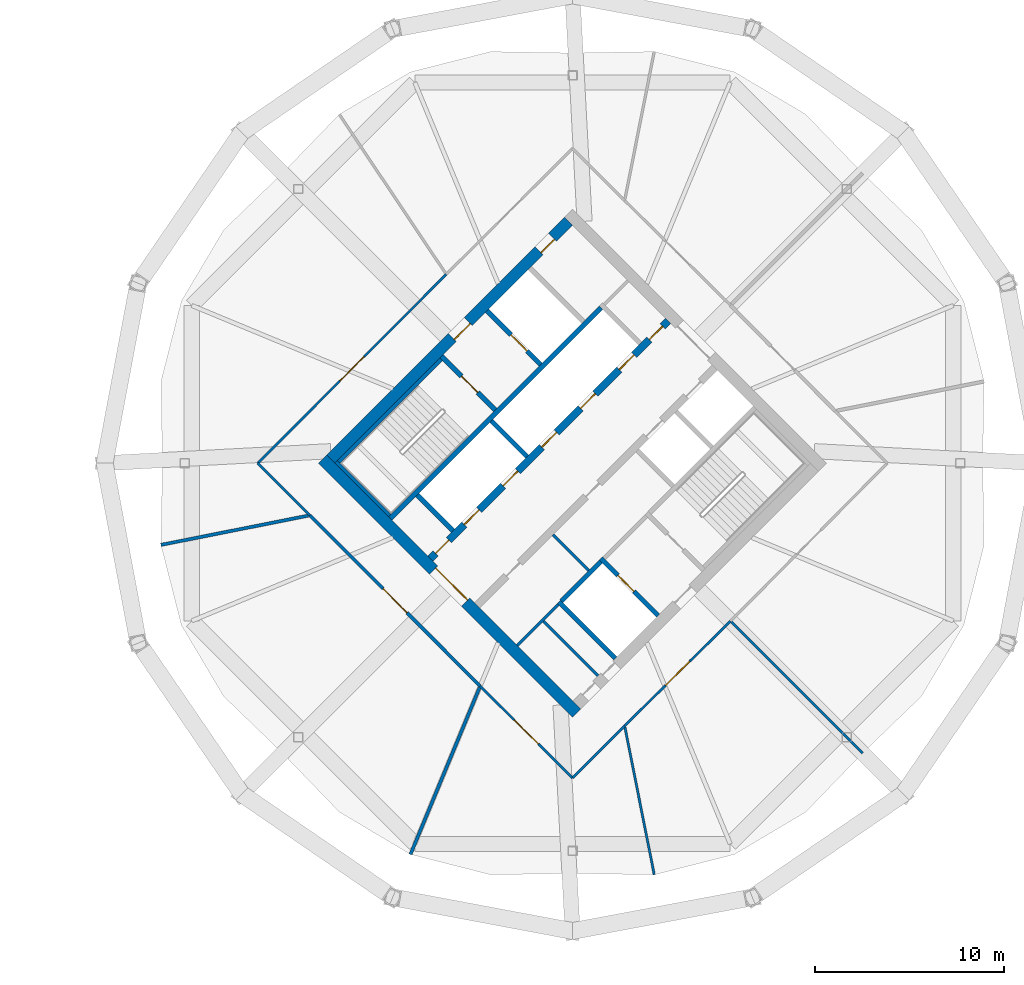
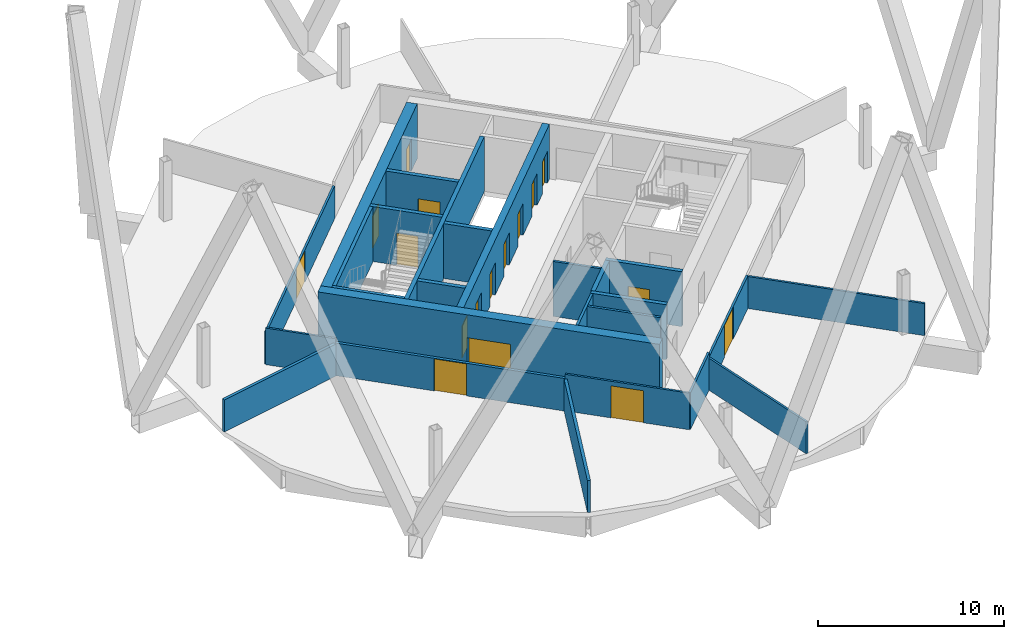
# One storey, part 7 of 10: 26 walls, 17 doors, 17 openings.
"""IFC4 building model written with IfcOpenShell, lengths in metres."""

from ifc_helpers import new_model, si_unit, direction, frame, frame_2d, origin, place, context, subcontext, project, spatial, rectangle, extrude, material, layer, layer_set, type_object, element, fill, save


model = new_model("IFC4")

# Units and contexts
model_context = context("Model", 3, precision=1e-05, world=origin(), true_north=direction((0.0, 1.0)))
body_context = subcontext(model_context, "Body", "Model", "MODEL_VIEW")
ifc_project = project(units=[si_unit("LENGTHUNIT", "METRE"), si_unit("AREAUNIT", "SQUARE_METRE"), si_unit("VOLUMEUNIT", "CUBIC_METRE"), si_unit("PLANEANGLEUNIT", "RADIAN"), si_unit("MASSUNIT", "GRAM", prefix="KILO")], contexts=[model_context])

# Site, building, storey
site_placement = place(None, origin())
site = spatial("IfcSite", under=ifc_project, at=site_placement, CompositionType="ELEMENT")
building_placement = place(site_placement, origin())
building = spatial("IfcBuilding", under=site, at=building_placement, Name="Ogive Gate Towers", CompositionType="ELEMENT")
storey_placement = place(building_placement, frame((0.0, 0.0, 181.199951171875)))
storey = spatial("IfcBuildingStorey", under=building, at=storey_placement, Name="L43", CompositionType="ELEMENT", Elevation=181.199951171875)

# Walls
ifc_material_1 = material(Name="Gypsum board acoustic partition")
ifc_layer_1 = layer(ifc_material_1, 0.175048828125)
ifc_layer_set_1 = layer_set([ifc_layer_1], Name="Acoustic partition 175")
wall_type_1 = type_object("IfcWallType", Name="Acoustic partition 175", PredefinedType="PARTITIONING", material=ifc_layer_set_1)
wall_1_placement = place(storey_placement, frame((14.215576171875, -4.324951171875, 0.0), z_axis=(0.0, 0.0, 1.0), x_axis=(0.980858380129, 0.19472246437, 0.0)))
element("IfcWall", 1, at=wall_1_placement, inside=storey, type_object=wall_type_1, Name="Partition T2-L43-005", PredefinedType="PARTITIONING", context=body_context, shape_type="SweptSolid", body=[
    extrude(rectangle(XDim=7.951416015625, YDim=0.175048828125, at=frame_2d((3.9755859375, 0.0))), origin(), (0.0, 0.0, 1.0), 2.10009765625),
])
wall_2_placement = place(storey_placement, frame((27.424072265625, -20.7041015625, 0.0), z_axis=(0.0, 0.0, 1.0), x_axis=(0.38267612342, 0.923882559942, 0.0)))
element("IfcWall", 2, at=wall_2_placement, inside=storey, type_object=wall_type_1, Name="Partition T2-L43-006", PredefinedType="PARTITIONING", context=body_context, shape_type="SweptSolid", body=[
    extrude(rectangle(XDim=9.55126953125, YDim=0.175048828125, at=frame_2d((4.775634765625, 0.0))), origin(), (0.0, 0.0, 1.0), 2.10009765625),
])

# Wall, opening, door
wall_3_placement = place(storey_placement, frame((22.1005859375, -2.759521484375, 0.0), z_axis=(0.0, 0.0, 1.0), x_axis=(0.706044450355, -0.708167518405, 0.0)))
wall_3 = element("IfcWall", 3, at=wall_3_placement, inside=storey, type_object=wall_type_1, Name="Partition T2-L43-014", PredefinedType="PARTITIONING", context=body_context, shape_type="SweptSolid", body=[
    extrude(rectangle(XDim=12.764404296875, YDim=0.175048828125, at=frame_2d((6.38232421875, 0.0))), origin(), (0.0, 0.0, 1.0), 2.14013671875),
])
opening_1_placement = place(wall_3_placement, frame((5.48193359375, 0.0, 0.0)))
opening_1 = element("IfcOpeningElement", 4, at=opening_1_placement, cuts=wall_3, Name="Opening T2-L43-D04", PredefinedType="OPENING", context=body_context, shape_type="SweptSolid", body=[
    extrude(rectangle(XDim=1.800048828125, YDim=2.10009765625, at=frame_2d((0.89990234375, 1.050048828125))), frame((0.0, 0.09765625, 0.0), z_axis=(0.0, -1.0, 0.0), x_axis=(1.0, 0.0, 0.0)), (0.0, 0.0, 1.0), 0.195068359375),
])
ifc_material_2 = material(Name="Timber door", Category="wood")
door_type_1 = type_object("IfcDoorType", Name="Door pair 1800", OperationType="NOTDEFINED", PredefinedType="DOOR", material=ifc_material_2)
door_1_placement = place(opening_1_placement, origin())
door_1 = element("IfcDoor", 5, at=door_1_placement, inside=storey, type_object=door_type_1, Name="Door T2-L43-D04", OperationType="DOUBLE_DOOR_DOUBLE_SWING", OverallHeight=2.10009765625, OverallWidth=1.800048828125, PredefinedType="DOOR", context=body_context, shape_type="SweptSolid", body=[
    extrude(rectangle(XDim=1.800048828125, YDim=2.10009765625, at=frame_2d((0.89990234375, 1.050048828125))), frame((0.0, 0.02490234375, 0.0), z_axis=(0.0, -1.0, 0.0), x_axis=(1.0, 0.0, 0.0)), (0.0, 0.0, 1.0), 0.050048828125),
])
fill(opening_1, door_1)

# Wall, openings, doors
ifc_material_3 = material(Name="Concrete C60/75", Category="concrete")
ifc_layer_2 = layer(ifc_material_3, 0.60009765625)
ifc_layer_set_2 = layer_set([ifc_layer_2], Name="Core wall 600 mm")
wall_type_2 = type_object("IfcWallType", Name="Core wall 600 mm", PredefinedType="SHEAR", material=ifc_layer_set_2)
wall_4_placement = place(storey_placement, frame((23.201416015625, 0.212158203125, 0.0), z_axis=(0.0, 0.0, 1.0), x_axis=(0.707106781187, 0.707106781187, 0.0)))
wall_4 = element("IfcWall", 6, at=wall_4_placement, inside=storey, type_object=wall_type_2, Name="T2 L43 Core wall 600 mm", PredefinedType="SHEAR", context=body_context, shape_type="SweptSolid", body=[
    extrude(rectangle(XDim=17.7998046875, YDim=0.60009765625, at=frame_2d((8.89990234375, 0.0))), origin(), (0.0, 0.0, 1.0), 3.60009765625),
])
opening_2_placement = place(wall_4_placement, frame((9.10009765625, 0.0, 0.0)))
opening_2 = element("IfcOpeningElement", 7, at=opening_2_placement, cuts=wall_4, Name="Opening KD-T2-L43-18", PredefinedType="OPENING", context=body_context, shape_type="SweptSolid", body=[
    extrude(rectangle(XDim=1.199951171875, YDim=2.10009765625, at=frame_2d((0.60009765625, 1.050048828125))), frame((0.0, 0.31005859375, 0.0), z_axis=(0.0, -1.0, 0.0), x_axis=(1.0, 0.0, 0.0)), (0.0, 0.0, 1.0), 0.6201171875),
])
opening_3_placement = place(wall_4_placement, frame((15.60009765625, 0.0, 0.0)))
opening_3 = element("IfcOpeningElement", 8, at=opening_3_placement, cuts=wall_4, Name="Opening KD-T2-L43-20", PredefinedType="OPENING", context=body_context, shape_type="SweptSolid", body=[
    extrude(rectangle(XDim=1.0, YDim=2.10009765625, at=frame_2d((0.5, 1.050048828125))), frame((0.0, 0.31005859375, 0.0), z_axis=(0.0, -1.0, 0.0), x_axis=(1.0, 0.0, 0.0)), (0.0, 0.0, 1.0), 0.6201171875),
])
door_type_2 = type_object("IfcDoorType", Name="Accessible WC door 1000 x 2100", OperationType="NOTDEFINED", PredefinedType="DOOR", material=ifc_material_2)
door_2_placement = place(opening_3_placement, origin())
door_2 = element("IfcDoor", 9, at=door_2_placement, inside=storey, type_object=door_type_2, Name="T2 L43 Core door", OperationType="SINGLE_SWING_LEFT", OverallHeight=2.10009765625, OverallWidth=1.0, PredefinedType="DOOR", context=body_context, shape_type="SweptSolid", body=[
    extrude(rectangle(XDim=1.0, YDim=2.10009765625, at=frame_2d((0.5, 1.050048828125))), frame((0.0, -0.125, 0.0), z_axis=(0.0, -1.0, 0.0), x_axis=(1.0, 0.0, 0.0)), (0.0, 0.0, 1.0), 0.050048828125),
])
fill(opening_3, door_2)
ifc_material_4 = material(Name="Steel fire door", Category="steel")
door_type_3 = type_object("IfcDoorType", Name="Core door FD60S 1200 x 2100", OperationType="NOTDEFINED", PredefinedType="DOOR", material=ifc_material_4)
door_3_placement = place(opening_2_placement, origin())
door_3 = element("IfcDoor", 10, at=door_3_placement, inside=storey, type_object=door_type_3, Name="T2 L43 Fire-fighting lobby door", OperationType="SINGLE_SWING_LEFT", OverallHeight=2.10009765625, OverallWidth=1.199951171875, PredefinedType="DOOR", context=body_context, shape_type="SweptSolid", body=[
    extrude(rectangle(XDim=1.199951171875, YDim=2.10009765625, at=frame_2d((0.60009765625, 1.050048828125))), frame((0.0, -0.125, 0.0), z_axis=(0.0, -1.0, 0.0), x_axis=(1.0, 0.0, 0.0)), (0.0, 0.0, 1.0), 0.050048828125),
])
fill(opening_2, door_3)

# Wall, opening, door
wall_5_placement = place(storey_placement, frame((36.212158203125, -13.222900390625, 0.0), z_axis=(0.0, 0.0, 1.0), x_axis=(-0.707106781187, 0.707106781187, 0.0)))
wall_5 = element("IfcWall", 11, at=wall_5_placement, inside=storey, type_object=wall_type_2, Name="T2 L43 Core wall 600 mm", PredefinedType="SHEAR", context=body_context, shape_type="SweptSolid", body=[
    extrude(rectangle(XDim=19.0, YDim=0.60009765625, at=frame_2d((9.5, 0.0))), origin(), (0.0, 0.0, 1.0), 3.60009765625),
])
opening_4_placement = place(wall_5_placement, frame((8.300048828125, 0.0, 0.0)))
opening_4 = element("IfcOpeningElement", 12, at=opening_4_placement, cuts=wall_5, Name="Opening KD-T2-L43-01", PredefinedType="OPENING", context=body_context, shape_type="SweptSolid", body=[
    extrude(rectangle(XDim=2.39990234375, YDim=2.10009765625, at=frame_2d((1.199951171875, 1.050048828125))), frame((0.0, 0.31005859375, 0.0), z_axis=(0.0, -1.0, 0.0), x_axis=(1.0, 0.0, 0.0)), (0.0, 0.0, 1.0), 0.6201171875),
])
door_type_4 = type_object("IfcDoorType", Name="Core double door FD60S 2400 x 2100", OperationType="DOUBLE_DOOR_SINGLE_SWING", PredefinedType="DOOR", material=ifc_material_4)
door_4_placement = place(opening_4_placement, origin())
door_4 = element("IfcDoor", 13, at=door_4_placement, inside=storey, type_object=door_type_4, Name="T2 L43 Core door double", OperationType="DOUBLE_DOOR_SINGLE_SWING", OverallHeight=2.10009765625, OverallWidth=2.39990234375, PredefinedType="DOOR", context=body_context, shape_type="SweptSolid", body=[
    extrude(rectangle(XDim=2.39990234375, YDim=2.10009765625, at=frame_2d((1.199951171875, 1.050048828125))), frame((0.0, -0.125, 0.0), z_axis=(0.0, -1.0, 0.0), x_axis=(1.0, 0.0, 0.0)), (0.0, 0.0, 1.0), 0.050048828125),
])
fill(opening_4, door_4)

# Walls
ifc_material_5 = material(Name="Gypsum board partition")
ifc_layer_3 = layer(ifc_material_5, 0.125)
ifc_layer_set_3 = layer_set([ifc_layer_3], Name="Partition 125")
wall_type_3 = type_object("IfcWallType", Name="Partition 125", PredefinedType="PARTITIONING", material=ifc_layer_set_3)
wall_6_placement = place(storey_placement, frame((40.324951171875, -21.784423828125, 0.0), z_axis=(0.0, 0.0, 1.0), x_axis=(-0.194756262112, 0.980851669911, 0.0)))
element("IfcWall", 14, at=wall_6_placement, inside=storey, type_object=wall_type_3, Name="Partition T2-L43-007", PredefinedType="PARTITIONING", context=body_context, shape_type="SweptSolid", body=[
    extrude(rectangle(XDim=7.9765625, YDim=0.125, at=frame_2d((3.98828125, 0.0))), origin(), (0.0, 0.0, 1.0), 2.10009765625),
])
wall_7_placement = place(storey_placement, frame((51.3505859375, -15.3505859375, 0.0), z_axis=(0.0, 0.0, 1.0), x_axis=(-0.707106781187, 0.707106781187, 0.0)))
element("IfcWall", 15, at=wall_7_placement, inside=storey, type_object=wall_type_3, Name="Partition T2-L43-008", PredefinedType="PARTITIONING", context=body_context, shape_type="SweptSolid", body=[
    extrude(rectangle(XDim=9.82666015625, YDim=0.125, at=frame_2d((4.913330078125, 0.0))), origin(), (0.0, 0.0, 1.0), 2.10009765625),
])

# Wall, opening, door
wall_8_placement = place(storey_placement, frame((29.318115234375, 9.9921875, 0.0), z_axis=(0.0, 0.0, 1.0), x_axis=(-0.706587905496, -0.707625276405, 0.0)))
wall_8 = element("IfcWall", 16, at=wall_8_placement, inside=storey, type_object=wall_type_3, Name="Partition T2-L43-012", PredefinedType="PARTITIONING", context=body_context, shape_type="SweptSolid", body=[
    extrude(rectangle(XDim=14.120849609375, YDim=0.125, at=frame_2d((7.060546875, 0.0))), origin(), (0.0, 0.0, 1.0), 2.14013671875),
])
opening_5_placement = place(wall_8_placement, frame((6.159912109375, 0.0, 0.0)))
opening_5 = element("IfcOpeningElement", 17, at=opening_5_placement, cuts=wall_8, Name="Opening T2-L43-D03", PredefinedType="OPENING", context=body_context, shape_type="SweptSolid", body=[
    extrude(rectangle(XDim=1.800048828125, YDim=2.10009765625, at=frame_2d((0.89990234375, 1.050048828125))), frame((0.0, 0.072509765625, 0.0), z_axis=(0.0, -1.0, 0.0), x_axis=(1.0, 0.0, 0.0)), (0.0, 0.0, 1.0), 0.14501953125),
])
door_5_placement = place(opening_5_placement, origin())
door_5 = element("IfcDoor", 18, at=door_5_placement, inside=storey, type_object=door_type_1, Name="Door T2-L43-D03", OperationType="DOUBLE_DOOR_DOUBLE_SWING", OverallHeight=2.10009765625, OverallWidth=1.800048828125, PredefinedType="DOOR", context=body_context, shape_type="SweptSolid", body=[
    extrude(rectangle(XDim=1.800048828125, YDim=2.10009765625, at=frame_2d((0.89990234375, 1.050048828125))), frame((0.0, 0.02490234375, 0.0), z_axis=(0.0, -1.0, 0.0), x_axis=(1.0, 0.0, 0.0)), (0.0, 0.0, 1.0), 0.050048828125),
])
fill(opening_5, door_5)

# Wall
wall_9_placement = place(storey_placement, frame((19.340576171875, 0.0, 0.0), z_axis=(0.0, 0.0, 1.0), x_axis=(0.707169332098, -0.707044224741, 0.0)))
element("IfcWall", 19, at=wall_9_placement, inside=storey, type_object=wall_type_3, Name="Partition T2-L43-013", PredefinedType="PARTITIONING", context=body_context, shape_type="SweptSolid", body=[
    extrude(rectangle(XDim=3.90283203125, YDim=0.125, at=frame_2d((1.951416015625, 0.0))), origin(), (0.0, 0.0, 1.0), 2.400146484375),
])

# Wall, opening, door
wall_10_placement = place(storey_placement, frame((31.11279296875, -11.798828125, 0.0), z_axis=(0.0, 0.0, 1.0), x_axis=(0.709034527983, -0.705173764492, 0.0)))
wall_10 = element("IfcWall", 20, at=wall_10_placement, inside=storey, type_object=wall_type_3, Name="Partition T2-L43-015", PredefinedType="PARTITIONING", context=body_context, shape_type="SweptSolid", body=[
    extrude(rectangle(XDim=6.892822265625, YDim=0.125, at=frame_2d((3.4462890625, 0.0))), origin(), (0.0, 0.0, 1.0), 2.400146484375),
])
opening_6_placement = place(wall_10_placement, frame((2.5458984375, 0.0, 0.0)))
opening_6 = element("IfcOpeningElement", 21, at=opening_6_placement, cuts=wall_10, Name="Opening T2-L43-D05", PredefinedType="OPENING", context=body_context, shape_type="SweptSolid", body=[
    extrude(rectangle(XDim=1.800048828125, YDim=2.10009765625, at=frame_2d((0.89990234375, 1.050048828125))), frame((0.0, 0.072509765625, 0.0), z_axis=(0.0, -1.0, 0.0), x_axis=(1.0, 0.0, 0.0)), (0.0, 0.0, 1.0), 0.14501953125),
])
door_6_placement = place(opening_6_placement, origin())
door_6 = element("IfcDoor", 22, at=door_6_placement, inside=storey, type_object=door_type_1, Name="Door T2-L43-D05", OperationType="DOUBLE_DOOR_DOUBLE_SWING", OverallHeight=2.10009765625, OverallWidth=1.800048828125, PredefinedType="DOOR", context=body_context, shape_type="SweptSolid", body=[
    extrude(rectangle(XDim=1.800048828125, YDim=2.10009765625, at=frame_2d((0.89990234375, 1.050048828125))), frame((0.0, 0.02490234375, 0.0), z_axis=(0.0, -1.0, 0.0), x_axis=(1.0, 0.0, 0.0)), (0.0, 0.0, 1.0), 0.050048828125),
])
fill(opening_6, door_6)

# Wall
wall_11_placement = place(storey_placement, frame((36.0, -16.659423828125, 0.0), z_axis=(0.0, 0.0, 1.0), x_axis=(0.707044224741, 0.707169332098, 0.0)))
element("IfcWall", 23, at=wall_11_placement, inside=storey, type_object=wall_type_3, Name="Partition T2-L43-016", PredefinedType="PARTITIONING", context=body_context, shape_type="SweptSolid", body=[
    extrude(rectangle(XDim=3.90283203125, YDim=0.125, at=frame_2d((1.951416015625, 0.0))), origin(), (0.0, 0.0, 1.0), 2.400146484375),
])

# Wall, opening, door
wall_12_placement = place(storey_placement, frame((38.759521484375, -13.8994140625, 0.0), z_axis=(0.0, 0.0, 1.0), x_axis=(0.710708286488, 0.703486838198, 0.0)))
wall_12 = element("IfcWall", 24, at=wall_12_placement, inside=storey, type_object=wall_type_3, Name="Partition T2-L43-017", PredefinedType="PARTITIONING", context=body_context, shape_type="SweptSolid", body=[
    extrude(rectangle(XDim=7.877197265625, YDim=0.125, at=frame_2d((3.9384765625, 0.0))), origin(), (0.0, 0.0, 1.0), 2.14013671875),
])
opening_7_placement = place(wall_12_placement, frame((3.0390625, 0.0, 0.0)))
opening_7 = element("IfcOpeningElement", 25, at=opening_7_placement, cuts=wall_12, Name="Opening T2-L43-D06", PredefinedType="OPENING", context=body_context, shape_type="SweptSolid", body=[
    extrude(rectangle(XDim=1.800048828125, YDim=2.10009765625, at=frame_2d((0.89990234375, 1.050048828125))), frame((0.0, 0.072509765625, 0.0), z_axis=(0.0, -1.0, 0.0), x_axis=(1.0, 0.0, 0.0)), (0.0, 0.0, 1.0), 0.14501953125),
])
door_7_placement = place(opening_7_placement, origin())
door_7 = element("IfcDoor", 26, at=door_7_placement, inside=storey, type_object=door_type_1, Name="Door T2-L43-D06", OperationType="DOUBLE_DOOR_DOUBLE_SWING", OverallHeight=2.10009765625, OverallWidth=1.800048828125, PredefinedType="DOOR", context=body_context, shape_type="SweptSolid", body=[
    extrude(rectangle(XDim=1.800048828125, YDim=2.10009765625, at=frame_2d((0.89990234375, 1.050048828125))), frame((0.0, 0.02490234375, 0.0), z_axis=(0.0, -1.0, 0.0), x_axis=(1.0, 0.0, 0.0)), (0.0, 0.0, 1.0), 0.050048828125),
])
fill(opening_7, door_7)

# Walls
ifc_layer_4 = layer(ifc_material_5, 0.14990234375)
ifc_layer_set_4 = layer_set([ifc_layer_4], Name="Room partition 150 mm")
wall_type_4 = type_object("IfcWallType", Name="Room partition 150 mm", PredefinedType="PARTITIONING", material=ifc_layer_set_4)
wall_13_placement = place(storey_placement, frame((33.0654296875, -9.652099609375, 0.0), z_axis=(0.0, 0.0, 1.0), x_axis=(0.707146476181, 0.707067083964, 0.0)))
element("IfcWall", 27, at=wall_13_placement, inside=storey, type_object=wall_type_4, Name="T2 L43 Room partition 150 mm", PredefinedType="PARTITIONING", context=body_context, shape_type="SweptSolid", body=[
    extrude(rectangle(XDim=3.0751953125, YDim=0.14990234375, at=frame_2d((1.53759765625, 0.0))), origin(), (0.0, 0.0, 1.0), 3.60009765625),
])
wall_14_placement = place(storey_placement, frame((37.343505859375, -11.242919921875, 0.0), z_axis=(0.0, 0.0, 1.0), x_axis=(-0.707136736357, 0.707076824747, 0.0)))
element("IfcWall", 28, at=wall_14_placement, inside=storey, type_object=wall_type_4, Name="T2 L43 Room partition 150 mm", PredefinedType="PARTITIONING", context=body_context, shape_type="SweptSolid", body=[
    extrude(rectangle(XDim=4.074951171875, YDim=0.14990234375, at=frame_2d((2.03759765625, 0.0))), origin(), (0.0, 0.0, 1.0), 3.60009765625),
])
wall_15_placement = place(storey_placement, frame((36.8662109375, -5.674560546875, 0.0), z_axis=(0.0, 0.0, 1.0), x_axis=(-0.707106781187, 0.707106781187, 0.0)))
element("IfcWall", 29, at=wall_15_placement, inside=storey, type_object=wall_type_4, Name="T2 L43 Room partition 150 mm", PredefinedType="PARTITIONING", context=body_context, shape_type="SweptSolid", body=[
    extrude(rectangle(XDim=2.675048828125, YDim=0.14990234375, at=frame_2d((1.33740234375, 0.0))), origin(), (0.0, 0.0, 1.0), 3.60009765625),
])
ifc_layer_5 = layer(ifc_material_3, 0.25)
ifc_layer_set_5 = layer_set([ifc_layer_5], Name="Shaft wall 250 mm")
wall_type_5 = type_object("IfcWallType", Name="Shaft wall 250 mm", PredefinedType="SHEAR", material=ifc_layer_set_5)
wall_16_placement = place(storey_placement, frame((35.41650390625, -7.30078125, 0.0), z_axis=(0.0, 0.0, 1.0), x_axis=(0.707148157867, 0.707065402085, 0.0)))
element("IfcWall", 30, at=wall_16_placement, inside=storey, type_object=wall_type_5, Name="T2 L43 Shaft wall 250 mm", PredefinedType="SHEAR", context=body_context, shape_type="SweptSolid", body=[
    extrude(rectangle(XDim=2.9501953125, YDim=0.25, at=frame_2d((1.47509765625, 0.0))), origin(), (0.0, 0.0, 1.0), 3.60009765625),
])
wall_17_placement = place(storey_placement, frame((26.347900390625, -2.9345703125, 0.0), z_axis=(0.0, 0.0, 1.0), x_axis=(0.707106781187, 0.707106781187, 0.0)))
element("IfcWall", 31, at=wall_17_placement, inside=storey, type_object=wall_type_5, Name="T2 L43 Shaft wall 250 mm", PredefinedType="SHEAR", context=body_context, shape_type="SweptSolid", body=[
    extrude(rectangle(XDim=15.775146484375, YDim=0.25, at=frame_2d((7.8876953125, 0.0))), origin(), (0.0, 0.0, 1.0), 3.60009765625),
])
wall_18_placement = place(storey_placement, frame((29.67138671875, -3.57080078125, 0.0), z_axis=(0.0, 0.0, 1.0), x_axis=(-0.707152414227, 0.707061145201, 0.0)))
element("IfcWall", 32, at=wall_18_placement, inside=storey, type_object=wall_type_5, Name="T2 L43 Shaft wall 250 mm", PredefinedType="SHEAR", context=body_context, shape_type="SweptSolid", body=[
    extrude(rectangle(XDim=2.675048828125, YDim=0.25, at=frame_2d((1.33740234375, 0.0))), origin(), (0.0, 0.0, 1.0), 3.60009765625),
])
wall_19_placement = place(storey_placement, frame((38.2626953125, -10.32373046875, 0.0), z_axis=(0.0, 0.0, 1.0), x_axis=(-0.707106781187, 0.707106781187, 0.0)))
element("IfcWall", 33, at=wall_19_placement, inside=storey, type_object=wall_type_5, Name="T2 L43 Shaft wall 250 mm", PredefinedType="SHEAR", context=body_context, shape_type="SweptSolid", body=[
    extrude(rectangle(XDim=4.22509765625, YDim=0.25, at=frame_2d((2.112548828125, 0.0))), origin(), (0.0, 0.0, 1.0), 3.60009765625),
])

# Wall, opening, door
wall_20_placement = place(storey_placement, frame((40.525390625, -8.06103515625, 0.0), z_axis=(0.0, 0.0, 1.0), x_axis=(-0.707078225638, 0.707135335582, 0.0)))
wall_20 = element("IfcWall", 34, at=wall_20_placement, inside=storey, type_object=wall_type_5, Name="T2 L43 Shaft wall 250 mm", PredefinedType="SHEAR", context=body_context, shape_type="SweptSolid", body=[
    extrude(rectangle(XDim=4.27490234375, YDim=0.25, at=frame_2d((2.137451171875, 0.0))), origin(), (0.0, 0.0, 1.0), 3.60009765625),
])
opening_8_placement = place(wall_20_placement, frame((1.800048828125, 0.0, 0.0)))
opening_8 = element("IfcOpeningElement", 35, at=opening_8_placement, cuts=wall_20, Name="Opening LD-T2-L43-13", PredefinedType="OPENING", context=body_context, shape_type="SweptSolid", body=[
    extrude(rectangle(XDim=1.199951171875, YDim=2.10009765625, at=frame_2d((0.60009765625, 1.050048828125))), frame((0.0, 0.135009765625, 0.0), z_axis=(0.0, -1.0, 0.0), x_axis=(1.0, 0.0, 0.0)), (0.0, 0.0, 1.0), 0.27001953125),
])
ifc_material_6 = material(Name="Stainless steel landing door", Category="steel")
door_type_5 = type_object("IfcDoorType", Name="Landing door 1200 x 2100", OperationType="SLIDING_TO_LEFT", PredefinedType="DOOR", material=ifc_material_6)
door_8_placement = place(opening_8_placement, origin())
door_8 = element("IfcDoor", 36, at=door_8_placement, inside=storey, type_object=door_type_5, Name="T2 L43 Lift landing door FF2", OperationType="SLIDING_TO_LEFT", OverallHeight=2.10009765625, OverallWidth=1.199951171875, PredefinedType="DOOR", context=body_context, shape_type="SweptSolid", body=[
    extrude(rectangle(XDim=1.199951171875, YDim=2.10009765625, at=frame_2d((0.60009765625, 1.050048828125))), frame((0.0, 0.02490234375, 0.0), z_axis=(0.0, -1.0, 0.0), x_axis=(1.0, 0.0, 0.0)), (0.0, 0.0, 1.0), 0.050048828125),
])
fill(opening_8, door_8)

# Wall
wall_21_placement = place(storey_placement, frame((33.595703125, 0.353515625, 0.0), z_axis=(0.0, 0.0, 1.0), x_axis=(-0.707061145201, 0.707152414227, 0.0)))
element("IfcWall", 37, at=wall_21_placement, inside=storey, type_object=wall_type_5, Name="T2 L43 Shaft wall 250 mm", PredefinedType="SHEAR", context=body_context, shape_type="SweptSolid", body=[
    extrude(rectangle(XDim=2.675048828125, YDim=0.25, at=frame_2d((1.33740234375, 0.0))), origin(), (0.0, 0.0, 1.0), 3.60009765625),
])

# Wall, opening, door
wall_22_placement = place(storey_placement, frame((31.91650390625, 2.810791015625, 0.0), z_axis=(0.0, 0.0, 1.0), x_axis=(-0.707106781187, 0.707106781187, 0.0)))
wall_22 = element("IfcWall", 38, at=wall_22_placement, inside=storey, type_object=wall_type_5, Name="T2 L43 Shaft wall 250 mm", PredefinedType="SHEAR", context=body_context, shape_type="SweptSolid", body=[
    extrude(rectangle(XDim=4.025146484375, YDim=0.25, at=frame_2d((2.0126953125, 0.0))), origin(), (0.0, 0.0, 1.0), 3.60009765625),
])
opening_9_placement = place(wall_22_placement, frame((1.324951171875, 0.0, 0.0)))
opening_9 = element("IfcOpeningElement", 39, at=opening_9_placement, cuts=wall_22, Name="Opening KD-T2-L43-16", PredefinedType="OPENING", context=body_context, shape_type="SweptSolid", body=[
    extrude(rectangle(XDim=1.199951171875, YDim=2.10009765625, at=frame_2d((0.60009765625, 1.050048828125))), frame((0.0, 0.135009765625, 0.0), z_axis=(0.0, -1.0, 0.0), x_axis=(1.0, 0.0, 0.0)), (0.0, 0.0, 1.0), 0.27001953125),
])
door_9_placement = place(opening_9_placement, origin())
door_9 = element("IfcDoor", 40, at=door_9_placement, inside=storey, type_object=door_type_3, Name="T2 L43 Stair door", OperationType="SINGLE_SWING_LEFT", OverallHeight=2.10009765625, OverallWidth=1.199951171875, PredefinedType="DOOR", context=body_context, shape_type="SweptSolid", body=[
    extrude(rectangle(XDim=1.199951171875, YDim=2.10009765625, at=frame_2d((0.60009765625, 1.050048828125))), frame((0.0, 0.02490234375, 0.0), z_axis=(0.0, -1.0, 0.0), x_axis=(1.0, 0.0, 0.0)), (0.0, 0.0, 1.0), 0.050048828125),
])
fill(opening_9, door_9)

wall_23_placement = place(storey_placement, frame((34.320556640625, 5.21484375, 0.0), z_axis=(0.0, 0.0, 1.0), x_axis=(-0.70707645213, 0.707137108942, 0.0)))
wall_23 = element("IfcWall", 41, at=wall_23_placement, inside=storey, type_object=wall_type_5, Name="T2 L43 Shaft wall 250 mm", PredefinedType="SHEAR", context=body_context, shape_type="SweptSolid", body=[
    extrude(rectangle(XDim=4.02490234375, YDim=0.25, at=frame_2d((2.012451171875, 0.0))), origin(), (0.0, 0.0, 1.0), 3.60009765625),
])
opening_10_placement = place(wall_23_placement, frame((1.02490234375, 0.0, 0.0)))
opening_10 = element("IfcOpeningElement", 42, at=opening_10_placement, cuts=wall_23, Name="Opening LD-T2-L43-12", PredefinedType="OPENING", context=body_context, shape_type="SweptSolid", body=[
    extrude(rectangle(XDim=1.199951171875, YDim=2.10009765625, at=frame_2d((0.60009765625, 1.050048828125))), frame((0.0, 0.135009765625, 0.0), z_axis=(0.0, -1.0, 0.0), x_axis=(1.0, 0.0, 0.0)), (0.0, 0.0, 1.0), 0.27001953125),
])
door_10_placement = place(opening_10_placement, origin())
door_10 = element("IfcDoor", 43, at=door_10_placement, inside=storey, type_object=door_type_5, Name="T2 L43 Lift landing door FF1", OperationType="SLIDING_TO_LEFT", OverallHeight=2.10009765625, OverallWidth=1.199951171875, PredefinedType="DOOR", context=body_context, shape_type="SweptSolid", body=[
    extrude(rectangle(XDim=1.199951171875, YDim=2.10009765625, at=frame_2d((0.60009765625, 1.050048828125))), frame((0.0, 0.02490234375, 0.0), z_axis=(0.0, -1.0, 0.0), x_axis=(1.0, 0.0, 0.0)), (0.0, 0.0, 1.0), 0.050048828125),
])
fill(opening_10, door_10)

# Wall, openings, doors
ifc_layer_6 = layer(ifc_material_3, 0.39990234375)
ifc_layer_set_6 = layer_set([ifc_layer_6], Name="Spine wall 400 mm")
wall_type_6 = type_object("IfcWallType", Name="Spine wall 400 mm", PredefinedType="SHEAR", material=ifc_layer_set_6)
wall_24_placement = place(storey_placement, frame((28.46923828125, -5.055908203125, 0.0), z_axis=(0.0, 0.0, 1.0), x_axis=(0.707106781187, 0.707106781187, 0.0)))
wall_24 = element("IfcWall", 44, at=wall_24_placement, inside=storey, type_object=wall_type_6, Name="T2 L43 Spine wall 400 mm", PredefinedType="SHEAR", context=body_context, shape_type="SweptSolid", body=[
    extrude(rectangle(XDim=17.80029296875, YDim=0.39990234375, at=frame_2d((8.900146484375, 0.0))), origin(), (0.0, 0.0, 1.0), 3.60009765625),
])
opening_11_placement = place(wall_24_placement, frame((0.39990234375, 0.0, 0.0)))
opening_11 = element("IfcOpeningElement", 45, at=opening_11_placement, cuts=wall_24, Name="Opening KD-T2-L43-03", PredefinedType="OPENING", context=body_context, shape_type="SweptSolid", body=[
    extrude(rectangle(XDim=1.0, YDim=2.10009765625, at=frame_2d((0.5, 1.050048828125))), frame((0.0, 0.2099609375, 0.0), z_axis=(0.0, -1.0, 0.0), x_axis=(1.0, 0.0, 0.0)), (0.0, 0.0, 1.0), 0.419921875),
])
opening_12_placement = place(wall_24_placement, frame((2.550048828125, 0.0, 0.0)))
opening_12 = element("IfcOpeningElement", 46, at=opening_12_placement, cuts=wall_24, Name="Opening LD-T2-L43-04", PredefinedType="OPENING", context=body_context, shape_type="SweptSolid", body=[
    extrude(rectangle(XDim=1.10009765625, YDim=2.10009765625, at=frame_2d((0.550048828125, 1.050048828125))), frame((0.0, 0.2099609375, 0.0), z_axis=(0.0, -1.0, 0.0), x_axis=(1.0, 0.0, 0.0)), (0.0, 0.0, 1.0), 0.419921875),
])
opening_13_placement = place(wall_24_placement, frame((5.449951171875, 0.0, 0.0)))
opening_13 = element("IfcOpeningElement", 47, at=opening_13_placement, cuts=wall_24, Name="Opening LD-T2-L43-05", PredefinedType="OPENING", context=body_context, shape_type="SweptSolid", body=[
    extrude(rectangle(XDim=1.10009765625, YDim=2.10009765625, at=frame_2d((0.550048828125, 1.050048828125))), frame((0.0, 0.2099609375, 0.0), z_axis=(0.0, -1.0, 0.0), x_axis=(1.0, 0.0, 0.0)), (0.0, 0.0, 1.0), 0.419921875),
])
opening_14_placement = place(wall_24_placement, frame((8.35009765625, 0.0, 0.0)))
opening_14 = element("IfcOpeningElement", 48, at=opening_14_placement, cuts=wall_24, Name="Opening LD-T2-L43-06", PredefinedType="OPENING", context=body_context, shape_type="SweptSolid", body=[
    extrude(rectangle(XDim=1.10009765625, YDim=2.10009765625, at=frame_2d((0.550048828125, 1.050048828125))), frame((0.0, 0.2099609375, 0.0), z_axis=(0.0, -1.0, 0.0), x_axis=(1.0, 0.0, 0.0)), (0.0, 0.0, 1.0), 0.419921875),
])
opening_15_placement = place(wall_24_placement, frame((11.25, 0.0, 0.0)))
opening_15 = element("IfcOpeningElement", 49, at=opening_15_placement, cuts=wall_24, Name="Opening LD-T2-L43-07", PredefinedType="OPENING", context=body_context, shape_type="SweptSolid", body=[
    extrude(rectangle(XDim=1.10009765625, YDim=2.10009765625, at=frame_2d((0.550048828125, 1.050048828125))), frame((0.0, 0.2099609375, 0.0), z_axis=(0.0, -1.0, 0.0), x_axis=(1.0, 0.0, 0.0)), (0.0, 0.0, 1.0), 0.419921875),
])
opening_16_placement = place(wall_24_placement, frame((14.14990234375, 0.0, 0.0)))
opening_16 = element("IfcOpeningElement", 50, at=opening_16_placement, cuts=wall_24, Name="Opening LD-T2-L43-08", PredefinedType="OPENING", context=body_context, shape_type="SweptSolid", body=[
    extrude(rectangle(XDim=1.10009765625, YDim=2.10009765625, at=frame_2d((0.550048828125, 1.050048828125))), frame((0.0, 0.2099609375, 0.0), z_axis=(0.0, -1.0, 0.0), x_axis=(1.0, 0.0, 0.0)), (0.0, 0.0, 1.0), 0.419921875),
])
opening_17_placement = place(wall_24_placement, frame((16.39990234375, 0.0, 0.0)))
opening_17 = element("IfcOpeningElement", 51, at=opening_17_placement, cuts=wall_24, Name="Opening KD-T2-L43-09", PredefinedType="OPENING", context=body_context, shape_type="SweptSolid", body=[
    extrude(rectangle(XDim=1.0, YDim=2.10009765625, at=frame_2d((0.5, 1.050048828125))), frame((0.0, 0.2099609375, 0.0), z_axis=(0.0, -1.0, 0.0), x_axis=(1.0, 0.0, 0.0)), (0.0, 0.0, 1.0), 0.419921875),
])
door_type_6 = type_object("IfcDoorType", Name="Core door FD60S 1000 x 2100", OperationType="NOTDEFINED", PredefinedType="DOOR", material=ifc_material_4)
door_11_placement = place(opening_11_placement, origin())
door_11 = element("IfcDoor", 52, at=door_11_placement, inside=storey, type_object=door_type_6, Name="T2 L43 Core door", OperationType="SINGLE_SWING_RIGHT", OverallHeight=2.10009765625, OverallWidth=1.0, PredefinedType="DOOR", context=body_context, shape_type="SweptSolid", body=[
    extrude(rectangle(XDim=1.0, YDim=2.10009765625, at=frame_2d((0.5, 1.050048828125))), frame((0.0, 0.02490234375, 0.0), z_axis=(0.0, -1.0, 0.0), x_axis=(1.0, 0.0, 0.0)), (0.0, 0.0, 1.0), 0.050048828125),
])
fill(opening_11, door_11)
door_12_placement = place(opening_17_placement, origin())
door_12 = element("IfcDoor", 53, at=door_12_placement, inside=storey, type_object=door_type_6, Name="T2 L43 Core door", OperationType="SINGLE_SWING_RIGHT", OverallHeight=2.10009765625, OverallWidth=1.0, PredefinedType="DOOR", context=body_context, shape_type="SweptSolid", body=[
    extrude(rectangle(XDim=1.0, YDim=2.10009765625, at=frame_2d((0.5, 1.050048828125))), frame((0.0, 0.02490234375, 0.0), z_axis=(0.0, -1.0, 0.0), x_axis=(1.0, 0.0, 0.0)), (0.0, 0.0, 1.0), 0.050048828125),
])
fill(opening_17, door_12)
door_type_7 = type_object("IfcDoorType", Name="Landing door 1100 x 2100", OperationType="SLIDING_TO_LEFT", PredefinedType="DOOR", material=ifc_material_6)
door_13_placement = place(opening_12_placement, origin())
door_13 = element("IfcDoor", 54, at=door_13_placement, inside=storey, type_object=door_type_7, Name="T2 L43 Lift landing door B1", OperationType="SLIDING_TO_LEFT", OverallHeight=2.10009765625, OverallWidth=1.10009765625, PredefinedType="DOOR", context=body_context, shape_type="SweptSolid", body=[
    extrude(rectangle(XDim=1.10009765625, YDim=2.10009765625, at=frame_2d((0.550048828125, 1.050048828125))), frame((0.0, 0.02490234375, 0.0), z_axis=(0.0, -1.0, 0.0), x_axis=(1.0, 0.0, 0.0)), (0.0, 0.0, 1.0), 0.050048828125),
])
fill(opening_12, door_13)
door_14_placement = place(opening_13_placement, origin())
door_14 = element("IfcDoor", 55, at=door_14_placement, inside=storey, type_object=door_type_7, Name="T2 L43 Lift landing door B2", OperationType="SLIDING_TO_LEFT", OverallHeight=2.10009765625, OverallWidth=1.10009765625, PredefinedType="DOOR", context=body_context, shape_type="SweptSolid", body=[
    extrude(rectangle(XDim=1.10009765625, YDim=2.10009765625, at=frame_2d((0.550048828125, 1.050048828125))), frame((0.0, 0.02490234375, 0.0), z_axis=(0.0, -1.0, 0.0), x_axis=(1.0, 0.0, 0.0)), (0.0, 0.0, 1.0), 0.050048828125),
])
fill(opening_13, door_14)
door_15_placement = place(opening_14_placement, origin())
door_15 = element("IfcDoor", 56, at=door_15_placement, inside=storey, type_object=door_type_7, Name="T2 L43 Lift landing door B3", OperationType="SLIDING_TO_LEFT", OverallHeight=2.10009765625, OverallWidth=1.10009765625, PredefinedType="DOOR", context=body_context, shape_type="SweptSolid", body=[
    extrude(rectangle(XDim=1.10009765625, YDim=2.10009765625, at=frame_2d((0.550048828125, 1.050048828125))), frame((0.0, 0.02490234375, 0.0), z_axis=(0.0, -1.0, 0.0), x_axis=(1.0, 0.0, 0.0)), (0.0, 0.0, 1.0), 0.050048828125),
])
fill(opening_14, door_15)
door_16_placement = place(opening_15_placement, origin())
door_16 = element("IfcDoor", 57, at=door_16_placement, inside=storey, type_object=door_type_7, Name="T2 L43 Lift landing door B4", OperationType="SLIDING_TO_LEFT", OverallHeight=2.10009765625, OverallWidth=1.10009765625, PredefinedType="DOOR", context=body_context, shape_type="SweptSolid", body=[
    extrude(rectangle(XDim=1.10009765625, YDim=2.10009765625, at=frame_2d((0.550048828125, 1.050048828125))), frame((0.0, 0.02490234375, 0.0), z_axis=(0.0, -1.0, 0.0), x_axis=(1.0, 0.0, 0.0)), (0.0, 0.0, 1.0), 0.050048828125),
])
fill(opening_15, door_16)
door_17_placement = place(opening_16_placement, origin())
door_17 = element("IfcDoor", 58, at=door_17_placement, inside=storey, type_object=door_type_7, Name="T2 L43 Lift landing door B5", OperationType="SLIDING_TO_LEFT", OverallHeight=2.10009765625, OverallWidth=1.10009765625, PredefinedType="DOOR", context=body_context, shape_type="SweptSolid", body=[
    extrude(rectangle(XDim=1.10009765625, YDim=2.10009765625, at=frame_2d((0.550048828125, 1.050048828125))), frame((0.0, 0.02490234375, 0.0), z_axis=(0.0, -1.0, 0.0), x_axis=(1.0, 0.0, 0.0)), (0.0, 0.0, 1.0), 0.050048828125),
])
fill(opening_16, door_17)

# Walls
ifc_layer_7 = layer(ifc_material_3, 0.199951171875)
ifc_layer_set_7 = layer_set([ifc_layer_7], Name="Stair wall 200 mm")
wall_type_7 = type_object("IfcWallType", Name="Stair wall 200 mm", PredefinedType="SHEAR", material=ifc_layer_set_7)
wall_25_placement = place(storey_placement, frame((23.62548828125, 0.07080078125, 0.0), z_axis=(0.0, 0.0, 1.0), x_axis=(0.707122685701, 0.707090876314, 0.0)))
element("IfcWall", 59, at=wall_25_placement, inside=storey, type_object=wall_type_7, Name="T2 L43 Stair wall 200 mm", PredefinedType="SHEAR", context=body_context, shape_type="SweptSolid", body=[
    extrude(rectangle(XDim=7.675048828125, YDim=0.199951171875, at=frame_2d((3.83740234375, 0.0))), origin(), (0.0, 0.0, 1.0), 3.60009765625),
])
wall_26_placement = place(storey_placement, frame((26.330322265625, -2.775390625, 0.0), z_axis=(0.0, 0.0, 1.0), x_axis=(-0.707106781187, 0.707106781187, 0.0)))
element("IfcWall", 60, at=wall_26_placement, inside=storey, type_object=wall_type_7, Name="T2 L43 Stair wall 200 mm", PredefinedType="SHEAR", context=body_context, shape_type="SweptSolid", body=[
    extrude(rectangle(XDim=4.025146484375, YDim=0.199951171875, at=frame_2d((2.0126953125, 0.0))), origin(), (0.0, 0.0, 1.0), 3.60009765625),
])

save(model, "model.ifc")
